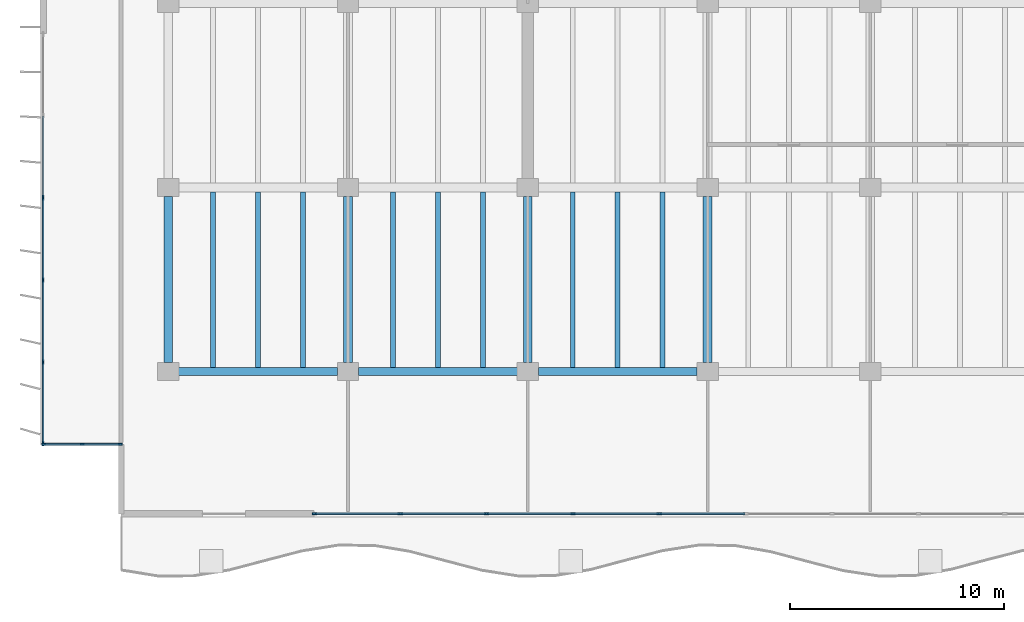
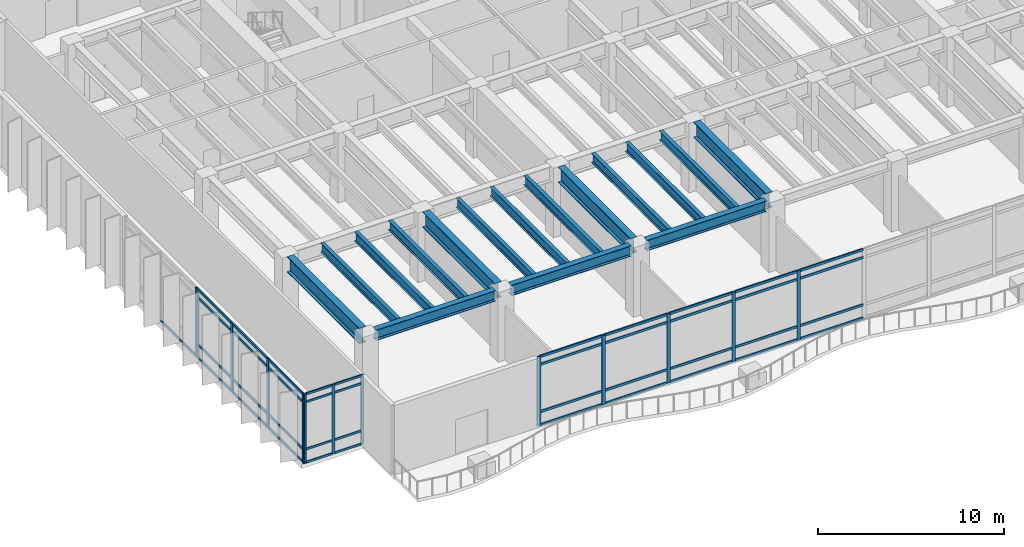
# One storey, part 2 of 16: 53 members, 16 beams, 3 elements without a shape of their own.
"""IFC4 building model written with IfcOpenShell, lengths in metres."""

from ifc_helpers import new_model, si_unit, direction, frame, origin, origin_2d, place, context, subcontext, project, spatial, rectangle, i_section, extrude, material, layer, layer_set, material_profile, profile_set, type_object, element, aggregate, save


model = new_model("IFC4")

# Units and contexts
model_context = context("Model", 3, precision=1e-05, world=origin(), true_north=direction((0.0, 1.0)))
body_context = subcontext(model_context, "Body", "Model", "MODEL_VIEW")
ifc_project = project(units=[si_unit("LENGTHUNIT", "METRE"), si_unit("AREAUNIT", "SQUARE_METRE"), si_unit("VOLUMEUNIT", "CUBIC_METRE"), si_unit("PLANEANGLEUNIT", "RADIAN"), si_unit("MASSUNIT", "GRAM", prefix="KILO")], contexts=[model_context])

# Site, building, storey
site_placement = place(None, origin())
site = spatial("IfcSite", under=ifc_project, at=site_placement, CompositionType="ELEMENT")
building_placement = place(site_placement, origin())
building = spatial("IfcBuilding", under=site, at=building_placement, Name="Caelmar Bay Residences", CompositionType="ELEMENT")
storey_placement = place(building_placement, frame((0.0, 0.0, 97.800048828125)))
storey = spatial("IfcBuildingStorey", under=building, at=storey_placement, Name="L26", CompositionType="ELEMENT", Elevation=97.800048828125)

# Beams
ifc_material_1 = material(Name="Steel ASTM A992 Grade 50", Category="steel")
ifc_material_profile_1 = material_profile(ifc_material_1, i_section(OverallWidth=0.404052734375, OverallDepth=1.02099609375, WebThickness=0.025390625, FlangeThickness=0.0458984375, FilletRadius=0.02294921875, at=origin_2d()), Name="W40X324")
ifc_profile_set_1 = profile_set([ifc_material_profile_1], Name="Steel ASTM A992 Grade 50")
beam_type_1 = type_object("IfcBeamType", Name="BM-GRD-W40X324", PredefinedType="BEAM", material=ifc_profile_set_1)
for number, where, z_axis, x_axis, name in (
    (1, (9.89990234375, 12.614990234375, 4.03955078125), (0.0, 1.0, 0.0), (-1.0, 0.0, 0.0), "L26 North-South Girder X=9.90 (12.2-20.8)"),
    (2, (18.300048828125, 12.614990234375, 4.03955078125), (0.0, 1.0, 0.0), (-1.0, 0.0, 0.0), "L26 North-South Girder X=18.30 (12.2-20.8)"),
    (3, (26.699951171875, 12.614990234375, 4.03955078125), (0.0, 1.0, 0.0), (-1.0, 0.0, 0.0), "L26 North-South Girder X=26.70 (12.2-20.8)"),
    (4, (35.10009765625, 12.614990234375, 4.03955078125), (0.0, 1.0, 0.0), (-1.0, 0.0, 0.0), "L26 North-South Girder X=35.10 (12.2-20.8)"),
):
    element("IfcBeam", number, at=place(storey_placement, frame(where, z_axis=z_axis, x_axis=x_axis)), inside=storey, type_object=beam_type_1, Name=name, PredefinedType="BEAM", context=body_context, shape_type="SweptSolid", body=[
        extrude(i_section(OverallWidth=0.404052734375, OverallDepth=1.02099609375, WebThickness=0.025390625, FlangeThickness=0.0458984375, FilletRadius=0.02294921875, at=origin_2d()), origin(), (0.0, 0.0, 1.0), 7.77001953125),
    ])
ifc_material_profile_2 = material_profile(ifc_material_1, i_section(OverallWidth=0.22900390625, OverallDepth=0.612060546875, WebThickness=0.011962890625, FlangeThickness=0.01953125, FilletRadius=0.0126953125, at=origin_2d()), Name="W24X84")
ifc_profile_set_2 = profile_set([ifc_material_profile_2], Name="Steel ASTM A992 Grade 50")
beam_type_2 = type_object("IfcBeamType", Name="BM-JST-W24X84", PredefinedType="JOIST", material=ifc_profile_set_2)
for number, where, z_axis, x_axis, name in (
    (5, (12.0, 12.3779296875, 4.243896484375), (0.0, 1.0, 0.0), (-1.0, 0.0, 0.0), "L26 Composite Floor Joist 1"),
    (6, (14.10009765625, 12.3779296875, 4.243896484375), (0.0, 1.0, 0.0), (-1.0, 0.0, 0.0), "L26 Composite Floor Joist 2"),
    (7, (16.199951171875, 12.3779296875, 4.243896484375), (0.0, 1.0, 0.0), (-1.0, 0.0, 0.0), "L26 Composite Floor Joist 3"),
    (8, (20.39990234375, 12.3779296875, 4.243896484375), (0.0, 1.0, 0.0), (-1.0, 0.0, 0.0), "L26 Composite Floor Joist 4"),
    (9, (22.5, 12.3779296875, 4.243896484375), (0.0, 1.0, 0.0), (-1.0, 0.0, 0.0), "L26 Composite Floor Joist 5"),
    (10, (24.60009765625, 12.3779296875, 4.243896484375), (0.0, 1.0, 0.0), (-1.0, 0.0, 0.0), "L26 Composite Floor Joist 6"),
    (11, (28.800048828125, 12.3779296875, 4.243896484375), (0.0, 1.0, 0.0), (-1.0, 0.0, 0.0), "L26 Composite Floor Joist 7"),
    (12, (30.89990234375, 12.3779296875, 4.243896484375), (0.0, 1.0, 0.0), (-1.0, 0.0, 0.0), "L26 Composite Floor Joist 8"),
    (13, (33.0, 12.3779296875, 4.243896484375), (0.0, 1.0, 0.0), (-1.0, 0.0, 0.0), "L26 Composite Floor Joist 9"),
):
    element("IfcBeam", number, at=place(storey_placement, frame(where, z_axis=z_axis, x_axis=x_axis)), inside=storey, type_object=beam_type_2, Name=name, PredefinedType="JOIST", context=body_context, shape_type="SweptSolid", body=[
        extrude(i_section(OverallWidth=0.22900390625, OverallDepth=0.612060546875, WebThickness=0.011962890625, FlangeThickness=0.01953125, FilletRadius=0.0126953125, at=origin_2d()), origin(), (0.0, 0.0, 1.0), 8.219970703125),
    ])
ifc_material_profile_3 = material_profile(ifc_material_1, i_section(OverallWidth=0.35595703125, OverallDepth=0.696044921875, WebThickness=0.015380859375, FlangeThickness=0.02490234375, FilletRadius=0.01513671875, at=origin_2d()), Name="W27X146")
ifc_profile_set_3 = profile_set([ifc_material_profile_3], Name="Steel ASTM A992 Grade 50")
beam_type_3 = type_object("IfcBeamType", Name="BM-SPN-W27X146", PredefinedType="SPANDREL", material=ifc_profile_set_3)
beam_1_placement = place(storey_placement, frame((10.389892578125, 12.199951171875, 4.201904296875), z_axis=(1.0, 0.0, 0.0), x_axis=(0.0, 1.0, 0.0)))
element("IfcBeam", 14, at=beam_1_placement, inside=storey, type_object=beam_type_3, Name="L26 East-West Girder Y=12.20 (9.9-18.3)", PredefinedType="SPANDREL", context=body_context, shape_type="SweptSolid", body=[
    extrude(i_section(OverallWidth=0.35595703125, OverallDepth=0.696044921875, WebThickness=0.015380859375, FlangeThickness=0.02490234375, FilletRadius=0.01513671875, at=origin_2d()), origin(), (0.0, 0.0, 1.0), 7.420166015625),
])
beam_2_placement = place(storey_placement, frame((18.7900390625, 12.199951171875, 4.201904296875), z_axis=(1.0, 0.0, 0.0), x_axis=(0.0, 1.0, 0.0)))
element("IfcBeam", 15, at=beam_2_placement, inside=storey, type_object=beam_type_3, Name="L26 East-West Girder Y=12.20 (18.3-26.7)", PredefinedType="SPANDREL", context=body_context, shape_type="SweptSolid", body=[
    extrude(i_section(OverallWidth=0.35595703125, OverallDepth=0.696044921875, WebThickness=0.015380859375, FlangeThickness=0.02490234375, FilletRadius=0.01513671875, at=origin_2d()), origin(), (0.0, 0.0, 1.0), 7.419921875),
])
beam_3_placement = place(storey_placement, frame((27.18994140625, 12.199951171875, 4.201904296875), z_axis=(1.0, 0.0, 0.0), x_axis=(0.0, 1.0, 0.0)))
element("IfcBeam", 16, at=beam_3_placement, inside=storey, type_object=beam_type_3, Name="L26 East-West Girder Y=12.20 (26.7-35.1)", PredefinedType="SPANDREL", context=body_context, shape_type="SweptSolid", body=[
    extrude(i_section(OverallWidth=0.35595703125, OverallDepth=0.696044921875, WebThickness=0.015380859375, FlangeThickness=0.02490234375, FilletRadius=0.01513671875, at=origin_2d()), origin(), (0.0, 0.0, 1.0), 7.420166015625),
])

# Curtain wall, members
ifc_material_2 = material(Name="Anodised bronze aluminium 6063-T6 and laminated glass", Category="aluminium")
ifc_layer_1 = layer(ifc_material_2, 0.179931640625)
ifc_layer_set_1 = layer_set([ifc_layer_1], Name="Anodised bronze aluminium 6063-T6 and laminated glass")
curtain_wall_type_1 = type_object("IfcCurtainWallType", Name="CW6-NTC", PredefinedType="NOTDEFINED", material=ifc_layer_set_1)
curtain_wall_1_placement = place(storey_placement, origin())
curtain_wall_1 = element("IfcCurtainWall", 17, at=curtain_wall_1_placement, inside=storey, type_object=curtain_wall_type_1, Name="CW6 curtain wall L26", PredefinedType="NOTDEFINED")
ifc_material_3 = material(Name="Anodised bronze aluminium 6063-T6", Category="aluminium")
ifc_material_profile_4 = material_profile(ifc_material_3, rectangle(XDim=0.080078125, YDim=0.179931640625, at=origin_2d()), Name="CWM-80X180")
ifc_profile_set_4 = profile_set([ifc_material_profile_4], Name="Anodised bronze aluminium 6063-T6")
member_type_1 = type_object("IfcMemberType", Name="CWM-180", PredefinedType="MULLION", material=ifc_profile_set_4)
member_1_placement = place(storey_placement, frame((4.090087890625, 8.800048828125, 0.0), z_axis=(0.0, 0.0, 1.0), x_axis=(0.0, 1.0, 0.0)))
member_1 = element("IfcMember", 18, at=member_1_placement, type_object=member_type_1, Name="CW6 mullion 1", PredefinedType="MULLION", context=body_context, shape_type="SweptSolid", body=[
    extrude(rectangle(XDim=0.080078125, YDim=0.179931640625, at=origin_2d()), origin(), (0.0, 0.0, 1.0), 4.550048828125),
])
member_2_placement = place(storey_placement, frame((5.875, 8.800048828125, 0.0), z_axis=(0.0, 0.0, 1.0), x_axis=(0.0, 1.0, 0.0)))
member_2 = element("IfcMember", 19, at=member_2_placement, type_object=member_type_1, Name="CW6 mullion 2", PredefinedType="MULLION", context=body_context, shape_type="SweptSolid", body=[
    extrude(rectangle(XDim=0.080078125, YDim=0.179931640625, at=origin_2d()), origin(), (0.0, 0.0, 1.0), 4.550048828125),
])
member_3_placement = place(storey_placement, frame((7.659912109375, 8.800048828125, 0.0), z_axis=(0.0, 0.0, 1.0), x_axis=(0.0, 1.0, 0.0)))
member_3 = element("IfcMember", 20, at=member_3_placement, type_object=member_type_1, Name="CW6 mullion 3", PredefinedType="MULLION", context=body_context, shape_type="SweptSolid", body=[
    extrude(rectangle(XDim=0.080078125, YDim=0.179931640625, at=origin_2d()), origin(), (0.0, 0.0, 1.0), 4.550048828125),
])

ifc_layer_2 = layer(ifc_material_2, 0.179931640625)
ifc_layer_set_2 = layer_set([ifc_layer_2], Name="Anodised bronze aluminium 6063-T6 and laminated glass")
curtain_wall_type_2 = type_object("IfcCurtainWallType", Name="CW7-CRN", PredefinedType="NOTDEFINED", material=ifc_layer_set_2)
curtain_wall_2_placement = place(storey_placement, origin())
curtain_wall_2 = element("IfcCurtainWall", 21, at=curtain_wall_2_placement, inside=storey, type_object=curtain_wall_type_2, Name="CW7 curtain wall L26", PredefinedType="NOTDEFINED")
ifc_material_profile_5 = material_profile(ifc_material_3, rectangle(XDim=0.080078125, YDim=0.219970703125, at=origin_2d()), Name="CWM-80X220")
ifc_profile_set_5 = profile_set([ifc_material_profile_5], Name="Anodised bronze aluminium 6063-T6")
member_type_2 = type_object("IfcMemberType", Name="CWM-220", PredefinedType="MULLION", material=ifc_profile_set_5)
member_4_placement = place(storey_placement, frame((32.845458984375, 5.550048828125, 0.0), z_axis=(0.0, 0.0, 1.0), x_axis=(0.0, -1.0, 0.0)))
member_4 = element("IfcMember", 22, at=member_4_placement, type_object=member_type_2, Name="CW7 mullion 8", PredefinedType="MULLION", context=body_context, shape_type="SweptSolid", body=[
    extrude(rectangle(XDim=0.080078125, YDim=0.219970703125, at=origin_2d()), origin(), (0.0, 0.0, 1.0), 4.550048828125),
])
member_5_placement = place(storey_placement, frame((28.80908203125, 5.550048828125, 0.0), z_axis=(0.0, 0.0, 1.0), x_axis=(0.0, -1.0, 0.0)))
member_5 = element("IfcMember", 23, at=member_5_placement, type_object=member_type_2, Name="CW7 mullion 9", PredefinedType="MULLION", context=body_context, shape_type="SweptSolid", body=[
    extrude(rectangle(XDim=0.080078125, YDim=0.219970703125, at=origin_2d()), origin(), (0.0, 0.0, 1.0), 4.550048828125),
])
member_6_placement = place(storey_placement, frame((24.772705078125, 5.550048828125, 0.0), z_axis=(0.0, 0.0, 1.0), x_axis=(0.0, -1.0, 0.0)))
member_6 = element("IfcMember", 24, at=member_6_placement, type_object=member_type_2, Name="CW7 mullion 10", PredefinedType="MULLION", context=body_context, shape_type="SweptSolid", body=[
    extrude(rectangle(XDim=0.080078125, YDim=0.219970703125, at=origin_2d()), origin(), (0.0, 0.0, 1.0), 4.550048828125),
])
member_7_placement = place(storey_placement, frame((20.736328125, 5.550048828125, 0.0), z_axis=(0.0, 0.0, 1.0), x_axis=(0.0, -1.0, 0.0)))
member_7 = element("IfcMember", 25, at=member_7_placement, type_object=member_type_2, Name="CW7 mullion 11", PredefinedType="MULLION", context=body_context, shape_type="SweptSolid", body=[
    extrude(rectangle(XDim=0.080078125, YDim=0.219970703125, at=origin_2d()), origin(), (0.0, 0.0, 1.0), 4.550048828125),
])
member_8_placement = place(storey_placement, frame((16.739990234375, 5.550048828125, 0.0), z_axis=(0.0, 0.0, 1.0), x_axis=(0.0, -1.0, 0.0)))
member_8 = element("IfcMember", 26, at=member_8_placement, type_object=member_type_2, Name="CW7 mullion 12", PredefinedType="MULLION", context=body_context, shape_type="SweptSolid", body=[
    extrude(rectangle(XDim=0.080078125, YDim=0.219970703125, at=origin_2d()), origin(), (0.0, 0.0, 1.0), 4.550048828125),
])

curtain_wall_3_placement = place(storey_placement, origin())
curtain_wall_3 = element("IfcCurtainWall", 27, at=curtain_wall_3_placement, inside=storey, type_object=curtain_wall_type_2, Name="CW7 curtain wall L26", PredefinedType="NOTDEFINED")
member_9_placement = place(storey_placement, frame((4.050048828125, 8.840087890625, 0.0), z_axis=(0.0, 0.0, 1.0), x_axis=(-1.0, 0.0, 0.0)))
member_9 = element("IfcMember", 28, at=member_9_placement, type_object=member_type_2, Name="CW7 mullion 1", PredefinedType="MULLION", context=body_context, shape_type="SweptSolid", body=[
    extrude(rectangle(XDim=0.080078125, YDim=0.219970703125, at=origin_2d()), origin(), (0.0, 0.0, 1.0), 4.550048828125),
])
member_10_placement = place(storey_placement, frame((4.050048828125, 12.639892578125, 0.0), z_axis=(0.0, 0.0, 1.0), x_axis=(-1.0, 0.0, 0.0)))
member_10 = element("IfcMember", 29, at=member_10_placement, type_object=member_type_2, Name="CW7 mullion 2", PredefinedType="MULLION", context=body_context, shape_type="SweptSolid", body=[
    extrude(rectangle(XDim=0.080078125, YDim=0.219970703125, at=origin_2d()), origin(), (0.0, 0.0, 1.0), 4.550048828125),
])
member_11_placement = place(storey_placement, frame((4.050048828125, 16.47998046875, 0.0), z_axis=(0.0, 0.0, 1.0), x_axis=(-1.0, 0.0, 0.0)))
member_11 = element("IfcMember", 30, at=member_11_placement, type_object=member_type_2, Name="CW7 mullion 3", PredefinedType="MULLION", context=body_context, shape_type="SweptSolid", body=[
    extrude(rectangle(XDim=0.080078125, YDim=0.219970703125, at=origin_2d()), origin(), (0.0, 0.0, 1.0), 4.550048828125),
])
member_12_placement = place(storey_placement, frame((4.050048828125, 20.320068359375, 0.0), z_axis=(0.0, 0.0, 1.0), x_axis=(-1.0, 0.0, 0.0)))
member_12 = element("IfcMember", 31, at=member_12_placement, type_object=member_type_2, Name="CW7 mullion 4", PredefinedType="MULLION", context=body_context, shape_type="SweptSolid", body=[
    extrude(rectangle(XDim=0.080078125, YDim=0.219970703125, at=origin_2d()), origin(), (0.0, 0.0, 1.0), 4.550048828125),
])

# Member
ifc_material_profile_6 = material_profile(ifc_material_3, rectangle(XDim=0.080078125, YDim=0.139892578125, at=origin_2d()), Name="CWT-80X140")
ifc_profile_set_6 = profile_set([ifc_material_profile_6], Name="Anodised bronze aluminium 6063-T6")
member_type_3 = type_object("IfcMemberType", Name="CWT-140", PredefinedType="NOTDEFINED", material=ifc_profile_set_6)
member_13_placement = place(storey_placement, frame((4.1298828125, 8.800048828125, 0.0400390625), z_axis=(1.0, 0.0, 0.0), x_axis=(0.0, 1.0, 0.0)))
member_13 = element("IfcMember", 32, at=member_13_placement, type_object=member_type_3, Name="CW6 transom 1.1", ObjectType="TRANSOM", PredefinedType="USERDEFINED", context=body_context, shape_type="SweptSolid", body=[
    extrude(rectangle(XDim=0.080078125, YDim=0.139892578125, at=origin_2d()), origin(), (0.0, 0.0, 1.0), 1.705078125),
])

member_14_placement = place(storey_placement, frame((4.1298828125, 8.800048828125, 0.89990234375), z_axis=(1.0, 0.0, 0.0), x_axis=(0.0, 1.0, 0.0)))
member_14 = element("IfcMember", 33, at=member_14_placement, type_object=member_type_3, Name="CW6 transom 1.2", ObjectType="TRANSOM", PredefinedType="USERDEFINED", context=body_context, shape_type="SweptSolid", body=[
    extrude(rectangle(XDim=0.080078125, YDim=0.139892578125, at=origin_2d()), origin(), (0.0, 0.0, 1.0), 1.705078125),
])

member_15_placement = place(storey_placement, frame((4.1298828125, 8.800048828125, 4.0), z_axis=(1.0, 0.0, 0.0), x_axis=(0.0, 1.0, 0.0)))
member_15 = element("IfcMember", 34, at=member_15_placement, type_object=member_type_3, Name="CW6 transom 1.3", ObjectType="TRANSOM", PredefinedType="USERDEFINED", context=body_context, shape_type="SweptSolid", body=[
    extrude(rectangle(XDim=0.080078125, YDim=0.139892578125, at=origin_2d()), origin(), (0.0, 0.0, 1.0), 1.705078125),
])

member_16_placement = place(storey_placement, frame((4.1298828125, 8.800048828125, 4.510009765625), z_axis=(1.0, 0.0, 0.0), x_axis=(0.0, 1.0, 0.0)))
member_16 = element("IfcMember", 35, at=member_16_placement, type_object=member_type_3, Name="CW6 transom 1.4", ObjectType="TRANSOM", PredefinedType="USERDEFINED", context=body_context, shape_type="SweptSolid", body=[
    extrude(rectangle(XDim=0.080078125, YDim=0.139892578125, at=origin_2d()), origin(), (0.0, 0.0, 1.0), 1.705078125),
])

member_17_placement = place(storey_placement, frame((5.9150390625, 8.800048828125, 0.0400390625), z_axis=(1.0, 0.0, 0.0), x_axis=(0.0, 1.0, 0.0)))
member_17 = element("IfcMember", 36, at=member_17_placement, type_object=member_type_3, Name="CW6 transom 2.1", ObjectType="TRANSOM", PredefinedType="USERDEFINED", context=body_context, shape_type="SweptSolid", body=[
    extrude(rectangle(XDim=0.080078125, YDim=0.139892578125, at=origin_2d()), origin(), (0.0, 0.0, 1.0), 1.705078125),
])

member_18_placement = place(storey_placement, frame((5.9150390625, 8.800048828125, 0.89990234375), z_axis=(1.0, 0.0, 0.0), x_axis=(0.0, 1.0, 0.0)))
member_18 = element("IfcMember", 37, at=member_18_placement, type_object=member_type_3, Name="CW6 transom 2.2", ObjectType="TRANSOM", PredefinedType="USERDEFINED", context=body_context, shape_type="SweptSolid", body=[
    extrude(rectangle(XDim=0.080078125, YDim=0.139892578125, at=origin_2d()), origin(), (0.0, 0.0, 1.0), 1.705078125),
])

member_19_placement = place(storey_placement, frame((5.9150390625, 8.800048828125, 4.0), z_axis=(1.0, 0.0, 0.0), x_axis=(0.0, 1.0, 0.0)))
member_19 = element("IfcMember", 38, at=member_19_placement, type_object=member_type_3, Name="CW6 transom 2.3", ObjectType="TRANSOM", PredefinedType="USERDEFINED", context=body_context, shape_type="SweptSolid", body=[
    extrude(rectangle(XDim=0.080078125, YDim=0.139892578125, at=origin_2d()), origin(), (0.0, 0.0, 1.0), 1.705078125),
])

member_20_placement = place(storey_placement, frame((5.9150390625, 8.800048828125, 4.510009765625), z_axis=(1.0, 0.0, 0.0), x_axis=(0.0, 1.0, 0.0)))
member_20 = element("IfcMember", 39, at=member_20_placement, type_object=member_type_3, Name="CW6 transom 2.4", ObjectType="TRANSOM", PredefinedType="USERDEFINED", context=body_context, shape_type="SweptSolid", body=[
    extrude(rectangle(XDim=0.080078125, YDim=0.139892578125, at=origin_2d()), origin(), (0.0, 0.0, 1.0), 1.705078125),
])

aggregate(curtain_wall_1, [member_1, member_2, member_3, member_13, member_14, member_15, member_16, member_17, member_18, member_19, member_20])

ifc_material_profile_7 = material_profile(ifc_material_3, rectangle(XDim=0.080078125, YDim=0.159912109375, at=origin_2d()), Name="CWT-80X160")
ifc_profile_set_7 = profile_set([ifc_material_profile_7], Name="Anodised bronze aluminium 6063-T6")
member_type_4 = type_object("IfcMemberType", Name="CWT-160", PredefinedType="NOTDEFINED", material=ifc_profile_set_7)
member_21_placement = place(storey_placement, frame((36.841796875, 5.550048828125, 0.0400390625), z_axis=(-1.0, 0.0, 0.0), x_axis=(0.0, -1.0, 0.0)))
member_21 = element("IfcMember", 40, at=member_21_placement, type_object=member_type_4, Name="CW7 transom 7.1", ObjectType="TRANSOM", PredefinedType="USERDEFINED", context=body_context, shape_type="SweptSolid", body=[
    extrude(rectangle(XDim=0.080078125, YDim=0.159912109375, at=origin_2d()), origin(), (0.0, 0.0, 1.0), 3.956298828125),
])

member_22_placement = place(storey_placement, frame((36.841796875, 5.550048828125, 0.89990234375), z_axis=(-1.0, 0.0, 0.0), x_axis=(0.0, -1.0, 0.0)))
member_22 = element("IfcMember", 41, at=member_22_placement, type_object=member_type_4, Name="CW7 transom 7.2", ObjectType="TRANSOM", PredefinedType="USERDEFINED", context=body_context, shape_type="SweptSolid", body=[
    extrude(rectangle(XDim=0.080078125, YDim=0.159912109375, at=origin_2d()), origin(), (0.0, 0.0, 1.0), 3.956298828125),
])

member_23_placement = place(storey_placement, frame((36.841796875, 5.550048828125, 4.0), z_axis=(-1.0, 0.0, 0.0), x_axis=(0.0, -1.0, 0.0)))
member_23 = element("IfcMember", 42, at=member_23_placement, type_object=member_type_4, Name="CW7 transom 7.3", ObjectType="TRANSOM", PredefinedType="USERDEFINED", context=body_context, shape_type="SweptSolid", body=[
    extrude(rectangle(XDim=0.080078125, YDim=0.159912109375, at=origin_2d()), origin(), (0.0, 0.0, 1.0), 3.956298828125),
])

member_24_placement = place(storey_placement, frame((36.841796875, 5.550048828125, 4.510009765625), z_axis=(-1.0, 0.0, 0.0), x_axis=(0.0, -1.0, 0.0)))
member_24 = element("IfcMember", 43, at=member_24_placement, type_object=member_type_4, Name="CW7 transom 7.4", ObjectType="TRANSOM", PredefinedType="USERDEFINED", context=body_context, shape_type="SweptSolid", body=[
    extrude(rectangle(XDim=0.080078125, YDim=0.159912109375, at=origin_2d()), origin(), (0.0, 0.0, 1.0), 3.956298828125),
])

member_25_placement = place(storey_placement, frame((32.805419921875, 5.550048828125, 0.0400390625), z_axis=(-1.0, 0.0, 0.0), x_axis=(0.0, -1.0, 0.0)))
member_25 = element("IfcMember", 44, at=member_25_placement, type_object=member_type_4, Name="CW7 transom 8.1", ObjectType="TRANSOM", PredefinedType="USERDEFINED", context=body_context, shape_type="SweptSolid", body=[
    extrude(rectangle(XDim=0.080078125, YDim=0.159912109375, at=origin_2d()), origin(), (0.0, 0.0, 1.0), 3.956298828125),
])

member_26_placement = place(storey_placement, frame((32.805419921875, 5.550048828125, 0.89990234375), z_axis=(-1.0, 0.0, 0.0), x_axis=(0.0, -1.0, 0.0)))
member_26 = element("IfcMember", 45, at=member_26_placement, type_object=member_type_4, Name="CW7 transom 8.2", ObjectType="TRANSOM", PredefinedType="USERDEFINED", context=body_context, shape_type="SweptSolid", body=[
    extrude(rectangle(XDim=0.080078125, YDim=0.159912109375, at=origin_2d()), origin(), (0.0, 0.0, 1.0), 3.956298828125),
])

member_27_placement = place(storey_placement, frame((32.805419921875, 5.550048828125, 4.0), z_axis=(-1.0, 0.0, 0.0), x_axis=(0.0, -1.0, 0.0)))
member_27 = element("IfcMember", 46, at=member_27_placement, type_object=member_type_4, Name="CW7 transom 8.3", ObjectType="TRANSOM", PredefinedType="USERDEFINED", context=body_context, shape_type="SweptSolid", body=[
    extrude(rectangle(XDim=0.080078125, YDim=0.159912109375, at=origin_2d()), origin(), (0.0, 0.0, 1.0), 3.956298828125),
])

member_28_placement = place(storey_placement, frame((32.805419921875, 5.550048828125, 4.510009765625), z_axis=(-1.0, 0.0, 0.0), x_axis=(0.0, -1.0, 0.0)))
member_28 = element("IfcMember", 47, at=member_28_placement, type_object=member_type_4, Name="CW7 transom 8.4", ObjectType="TRANSOM", PredefinedType="USERDEFINED", context=body_context, shape_type="SweptSolid", body=[
    extrude(rectangle(XDim=0.080078125, YDim=0.159912109375, at=origin_2d()), origin(), (0.0, 0.0, 1.0), 3.956298828125),
])

member_29_placement = place(storey_placement, frame((28.76904296875, 5.550048828125, 0.0400390625), z_axis=(-1.0, 0.0, 0.0), x_axis=(0.0, -1.0, 0.0)))
member_29 = element("IfcMember", 48, at=member_29_placement, type_object=member_type_4, Name="CW7 transom 9.1", ObjectType="TRANSOM", PredefinedType="USERDEFINED", context=body_context, shape_type="SweptSolid", body=[
    extrude(rectangle(XDim=0.080078125, YDim=0.159912109375, at=origin_2d()), origin(), (0.0, 0.0, 1.0), 3.956298828125),
])

member_30_placement = place(storey_placement, frame((28.76904296875, 5.550048828125, 0.89990234375), z_axis=(-1.0, 0.0, 0.0), x_axis=(0.0, -1.0, 0.0)))
member_30 = element("IfcMember", 49, at=member_30_placement, type_object=member_type_4, Name="CW7 transom 9.2", ObjectType="TRANSOM", PredefinedType="USERDEFINED", context=body_context, shape_type="SweptSolid", body=[
    extrude(rectangle(XDim=0.080078125, YDim=0.159912109375, at=origin_2d()), origin(), (0.0, 0.0, 1.0), 3.956298828125),
])

member_31_placement = place(storey_placement, frame((28.76904296875, 5.550048828125, 4.0), z_axis=(-1.0, 0.0, 0.0), x_axis=(0.0, -1.0, 0.0)))
member_31 = element("IfcMember", 50, at=member_31_placement, type_object=member_type_4, Name="CW7 transom 9.3", ObjectType="TRANSOM", PredefinedType="USERDEFINED", context=body_context, shape_type="SweptSolid", body=[
    extrude(rectangle(XDim=0.080078125, YDim=0.159912109375, at=origin_2d()), origin(), (0.0, 0.0, 1.0), 3.956298828125),
])

member_32_placement = place(storey_placement, frame((28.76904296875, 5.550048828125, 4.510009765625), z_axis=(-1.0, 0.0, 0.0), x_axis=(0.0, -1.0, 0.0)))
member_32 = element("IfcMember", 51, at=member_32_placement, type_object=member_type_4, Name="CW7 transom 9.4", ObjectType="TRANSOM", PredefinedType="USERDEFINED", context=body_context, shape_type="SweptSolid", body=[
    extrude(rectangle(XDim=0.080078125, YDim=0.159912109375, at=origin_2d()), origin(), (0.0, 0.0, 1.0), 3.956298828125),
])

member_33_placement = place(storey_placement, frame((24.732666015625, 5.550048828125, 0.0400390625), z_axis=(-1.0, 0.0, 0.0), x_axis=(0.0, -1.0, 0.0)))
member_33 = element("IfcMember", 52, at=member_33_placement, type_object=member_type_4, Name="CW7 transom 10.1", ObjectType="TRANSOM", PredefinedType="USERDEFINED", context=body_context, shape_type="SweptSolid", body=[
    extrude(rectangle(XDim=0.080078125, YDim=0.159912109375, at=origin_2d()), origin(), (0.0, 0.0, 1.0), 3.956298828125),
])

member_34_placement = place(storey_placement, frame((24.732666015625, 5.550048828125, 0.89990234375), z_axis=(-1.0, 0.0, 0.0), x_axis=(0.0, -1.0, 0.0)))
member_34 = element("IfcMember", 53, at=member_34_placement, type_object=member_type_4, Name="CW7 transom 10.2", ObjectType="TRANSOM", PredefinedType="USERDEFINED", context=body_context, shape_type="SweptSolid", body=[
    extrude(rectangle(XDim=0.080078125, YDim=0.159912109375, at=origin_2d()), origin(), (0.0, 0.0, 1.0), 3.956298828125),
])

member_35_placement = place(storey_placement, frame((24.732666015625, 5.550048828125, 4.0), z_axis=(-1.0, 0.0, 0.0), x_axis=(0.0, -1.0, 0.0)))
member_35 = element("IfcMember", 54, at=member_35_placement, type_object=member_type_4, Name="CW7 transom 10.3", ObjectType="TRANSOM", PredefinedType="USERDEFINED", context=body_context, shape_type="SweptSolid", body=[
    extrude(rectangle(XDim=0.080078125, YDim=0.159912109375, at=origin_2d()), origin(), (0.0, 0.0, 1.0), 3.956298828125),
])

member_36_placement = place(storey_placement, frame((24.732666015625, 5.550048828125, 4.510009765625), z_axis=(-1.0, 0.0, 0.0), x_axis=(0.0, -1.0, 0.0)))
member_36 = element("IfcMember", 55, at=member_36_placement, type_object=member_type_4, Name="CW7 transom 10.4", ObjectType="TRANSOM", PredefinedType="USERDEFINED", context=body_context, shape_type="SweptSolid", body=[
    extrude(rectangle(XDim=0.080078125, YDim=0.159912109375, at=origin_2d()), origin(), (0.0, 0.0, 1.0), 3.956298828125),
])

member_37_placement = place(storey_placement, frame((20.6962890625, 5.550048828125, 0.0400390625), z_axis=(-1.0, 0.0, 0.0), x_axis=(0.0, -1.0, 0.0)))
member_37 = element("IfcMember", 56, at=member_37_placement, type_object=member_type_4, Name="CW7 transom 11.1", ObjectType="TRANSOM", PredefinedType="USERDEFINED", context=body_context, shape_type="SweptSolid", body=[
    extrude(rectangle(XDim=0.080078125, YDim=0.159912109375, at=origin_2d()), origin(), (0.0, 0.0, 1.0), 3.916259765625),
])

member_38_placement = place(storey_placement, frame((20.6962890625, 5.550048828125, 0.89990234375), z_axis=(-1.0, 0.0, 0.0), x_axis=(0.0, -1.0, 0.0)))
member_38 = element("IfcMember", 57, at=member_38_placement, type_object=member_type_4, Name="CW7 transom 11.2", ObjectType="TRANSOM", PredefinedType="USERDEFINED", context=body_context, shape_type="SweptSolid", body=[
    extrude(rectangle(XDim=0.080078125, YDim=0.159912109375, at=origin_2d()), origin(), (0.0, 0.0, 1.0), 3.916259765625),
])

member_39_placement = place(storey_placement, frame((20.6962890625, 5.550048828125, 4.0), z_axis=(-1.0, 0.0, 0.0), x_axis=(0.0, -1.0, 0.0)))
member_39 = element("IfcMember", 58, at=member_39_placement, type_object=member_type_4, Name="CW7 transom 11.3", ObjectType="TRANSOM", PredefinedType="USERDEFINED", context=body_context, shape_type="SweptSolid", body=[
    extrude(rectangle(XDim=0.080078125, YDim=0.159912109375, at=origin_2d()), origin(), (0.0, 0.0, 1.0), 3.916259765625),
])

member_40_placement = place(storey_placement, frame((20.6962890625, 5.550048828125, 4.510009765625), z_axis=(-1.0, 0.0, 0.0), x_axis=(0.0, -1.0, 0.0)))
member_40 = element("IfcMember", 59, at=member_40_placement, type_object=member_type_4, Name="CW7 transom 11.4", ObjectType="TRANSOM", PredefinedType="USERDEFINED", context=body_context, shape_type="SweptSolid", body=[
    extrude(rectangle(XDim=0.080078125, YDim=0.159912109375, at=origin_2d()), origin(), (0.0, 0.0, 1.0), 3.916259765625),
])

aggregate(curtain_wall_2, [member_4, member_5, member_6, member_7, member_8, member_21, member_22, member_23, member_24, member_25, member_26, member_27, member_28, member_29, member_30, member_31, member_32, member_33, member_34, member_35, member_36, member_37, member_38, member_39, member_40])

member_41_placement = place(storey_placement, frame((4.050048828125, 8.8798828125, 0.0400390625), z_axis=(0.0, 1.0, 0.0), x_axis=(-1.0, 0.0, 0.0)))
member_41 = element("IfcMember", 60, at=member_41_placement, type_object=member_type_4, Name="CW7 transom 1.1", ObjectType="TRANSOM", PredefinedType="USERDEFINED", context=body_context, shape_type="SweptSolid", body=[
    extrude(rectangle(XDim=0.080078125, YDim=0.159912109375, at=origin_2d()), origin(), (0.0, 0.0, 1.0), 3.72021484375),
])

member_42_placement = place(storey_placement, frame((4.050048828125, 8.8798828125, 0.89990234375), z_axis=(0.0, 1.0, 0.0), x_axis=(-1.0, 0.0, 0.0)))
member_42 = element("IfcMember", 61, at=member_42_placement, type_object=member_type_4, Name="CW7 transom 1.2", ObjectType="TRANSOM", PredefinedType="USERDEFINED", context=body_context, shape_type="SweptSolid", body=[
    extrude(rectangle(XDim=0.080078125, YDim=0.159912109375, at=origin_2d()), origin(), (0.0, 0.0, 1.0), 3.72021484375),
])

member_43_placement = place(storey_placement, frame((4.050048828125, 8.8798828125, 4.0), z_axis=(0.0, 1.0, 0.0), x_axis=(-1.0, 0.0, 0.0)))
member_43 = element("IfcMember", 62, at=member_43_placement, type_object=member_type_4, Name="CW7 transom 1.3", ObjectType="TRANSOM", PredefinedType="USERDEFINED", context=body_context, shape_type="SweptSolid", body=[
    extrude(rectangle(XDim=0.080078125, YDim=0.159912109375, at=origin_2d()), origin(), (0.0, 0.0, 1.0), 3.72021484375),
])

member_44_placement = place(storey_placement, frame((4.050048828125, 8.8798828125, 4.510009765625), z_axis=(0.0, 1.0, 0.0), x_axis=(-1.0, 0.0, 0.0)))
member_44 = element("IfcMember", 63, at=member_44_placement, type_object=member_type_4, Name="CW7 transom 1.4", ObjectType="TRANSOM", PredefinedType="USERDEFINED", context=body_context, shape_type="SweptSolid", body=[
    extrude(rectangle(XDim=0.080078125, YDim=0.159912109375, at=origin_2d()), origin(), (0.0, 0.0, 1.0), 3.72021484375),
])

member_45_placement = place(storey_placement, frame((4.050048828125, 12.679931640625, 0.0400390625), z_axis=(0.0, 1.0, 0.0), x_axis=(-1.0, 0.0, 0.0)))
member_45 = element("IfcMember", 64, at=member_45_placement, type_object=member_type_4, Name="CW7 transom 2.1", ObjectType="TRANSOM", PredefinedType="USERDEFINED", context=body_context, shape_type="SweptSolid", body=[
    extrude(rectangle(XDim=0.080078125, YDim=0.159912109375, at=origin_2d()), origin(), (0.0, 0.0, 1.0), 3.760009765625),
])

member_46_placement = place(storey_placement, frame((4.050048828125, 12.679931640625, 0.89990234375), z_axis=(0.0, 1.0, 0.0), x_axis=(-1.0, 0.0, 0.0)))
member_46 = element("IfcMember", 65, at=member_46_placement, type_object=member_type_4, Name="CW7 transom 2.2", ObjectType="TRANSOM", PredefinedType="USERDEFINED", context=body_context, shape_type="SweptSolid", body=[
    extrude(rectangle(XDim=0.080078125, YDim=0.159912109375, at=origin_2d()), origin(), (0.0, 0.0, 1.0), 3.760009765625),
])

member_47_placement = place(storey_placement, frame((4.050048828125, 12.679931640625, 4.0), z_axis=(0.0, 1.0, 0.0), x_axis=(-1.0, 0.0, 0.0)))
member_47 = element("IfcMember", 66, at=member_47_placement, type_object=member_type_4, Name="CW7 transom 2.3", ObjectType="TRANSOM", PredefinedType="USERDEFINED", context=body_context, shape_type="SweptSolid", body=[
    extrude(rectangle(XDim=0.080078125, YDim=0.159912109375, at=origin_2d()), origin(), (0.0, 0.0, 1.0), 3.760009765625),
])

member_48_placement = place(storey_placement, frame((4.050048828125, 12.679931640625, 4.510009765625), z_axis=(0.0, 1.0, 0.0), x_axis=(-1.0, 0.0, 0.0)))
member_48 = element("IfcMember", 67, at=member_48_placement, type_object=member_type_4, Name="CW7 transom 2.4", ObjectType="TRANSOM", PredefinedType="USERDEFINED", context=body_context, shape_type="SweptSolid", body=[
    extrude(rectangle(XDim=0.080078125, YDim=0.159912109375, at=origin_2d()), origin(), (0.0, 0.0, 1.0), 3.760009765625),
])

member_49_placement = place(storey_placement, frame((4.050048828125, 16.52001953125, 0.0400390625), z_axis=(0.0, 1.0, 0.0), x_axis=(-1.0, 0.0, 0.0)))
member_49 = element("IfcMember", 68, at=member_49_placement, type_object=member_type_4, Name="CW7 transom 3.1", ObjectType="TRANSOM", PredefinedType="USERDEFINED", context=body_context, shape_type="SweptSolid", body=[
    extrude(rectangle(XDim=0.080078125, YDim=0.159912109375, at=origin_2d()), origin(), (0.0, 0.0, 1.0), 3.760009765625),
])

member_50_placement = place(storey_placement, frame((4.050048828125, 16.52001953125, 0.89990234375), z_axis=(0.0, 1.0, 0.0), x_axis=(-1.0, 0.0, 0.0)))
member_50 = element("IfcMember", 69, at=member_50_placement, type_object=member_type_4, Name="CW7 transom 3.2", ObjectType="TRANSOM", PredefinedType="USERDEFINED", context=body_context, shape_type="SweptSolid", body=[
    extrude(rectangle(XDim=0.080078125, YDim=0.159912109375, at=origin_2d()), origin(), (0.0, 0.0, 1.0), 3.760009765625),
])

member_51_placement = place(storey_placement, frame((4.050048828125, 16.52001953125, 4.0), z_axis=(0.0, 1.0, 0.0), x_axis=(-1.0, 0.0, 0.0)))
member_51 = element("IfcMember", 70, at=member_51_placement, type_object=member_type_4, Name="CW7 transom 3.3", ObjectType="TRANSOM", PredefinedType="USERDEFINED", context=body_context, shape_type="SweptSolid", body=[
    extrude(rectangle(XDim=0.080078125, YDim=0.159912109375, at=origin_2d()), origin(), (0.0, 0.0, 1.0), 3.760009765625),
])

member_52_placement = place(storey_placement, frame((4.050048828125, 16.52001953125, 4.510009765625), z_axis=(0.0, 1.0, 0.0), x_axis=(-1.0, 0.0, 0.0)))
member_52 = element("IfcMember", 71, at=member_52_placement, type_object=member_type_4, Name="CW7 transom 3.4", ObjectType="TRANSOM", PredefinedType="USERDEFINED", context=body_context, shape_type="SweptSolid", body=[
    extrude(rectangle(XDim=0.080078125, YDim=0.159912109375, at=origin_2d()), origin(), (0.0, 0.0, 1.0), 3.760009765625),
])

member_53_placement = place(storey_placement, frame((4.050048828125, 20.360107421875, 0.0400390625), z_axis=(0.0, 1.0, 0.0), x_axis=(-1.0, 0.0, 0.0)))
member_53 = element("IfcMember", 72, at=member_53_placement, type_object=member_type_4, Name="CW7 transom 4.1", ObjectType="TRANSOM", PredefinedType="USERDEFINED", context=body_context, shape_type="SweptSolid", body=[
    extrude(rectangle(XDim=0.080078125, YDim=0.159912109375, at=origin_2d()), origin(), (0.0, 0.0, 1.0), 3.760009765625),
])

aggregate(curtain_wall_3, [member_9, member_10, member_11, member_12, member_41, member_42, member_43, member_44, member_45, member_46, member_47, member_48, member_49, member_50, member_51, member_52, member_53])

save(model, "model.ifc")
